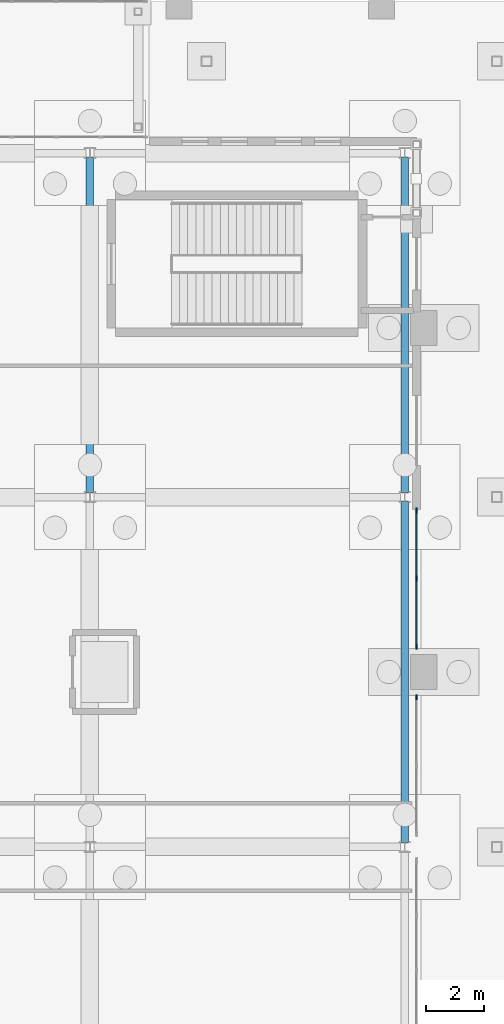
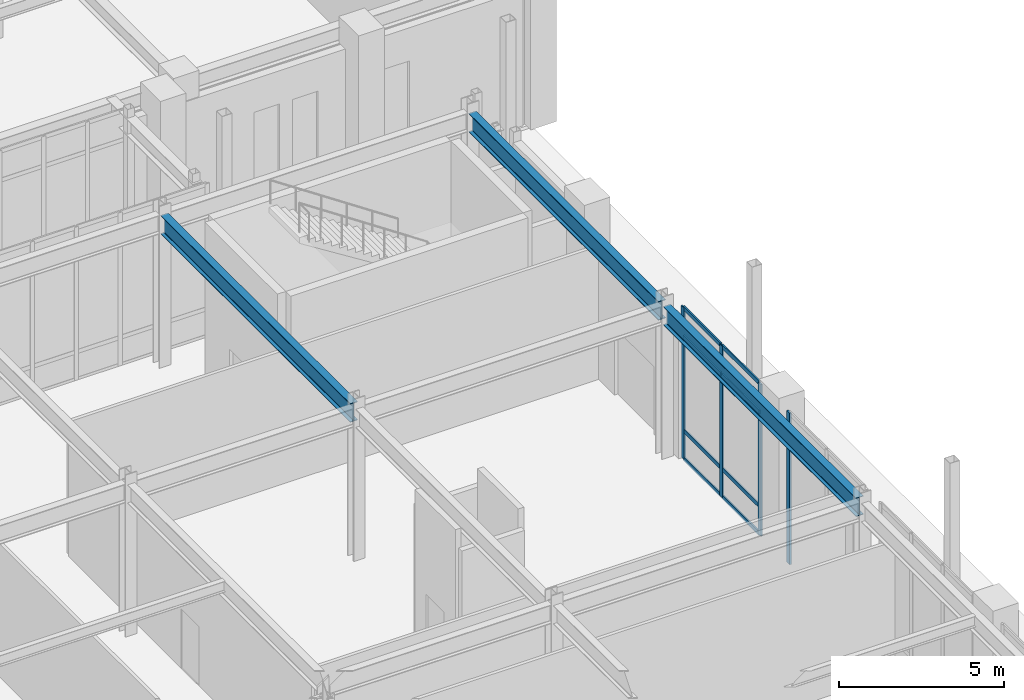
# One storey, part 70 of 143: 12 members, 3 beams, 2 elements without a shape of their own.
"""IFC4 building model written with IfcOpenShell, lengths in metres."""

import ifcopenshell
import ifcopenshell.guid

model = None  # the IFC model being written
_history = None  # IfcOwnerHistory: only IFC2X3 demands one
_inside = {}  # id of a spatial element -> (the spatial element, [elements in it])
_under = {}  # id of a project, library or spatial element -> (it, [spatial elements below it])
_declared = {}  # id of a project -> (the project, [libraries it declares])
_typed = {}  # id of a type object -> (the type object, [elements of that type])
_made_of = {}  # id of a material, layer set ... -> (it, [elements and type objects made of it])


def new_model(schema):
    """Start an empty IFC model of exactly this schema.

    Asked for "IFC4X3", IfcOpenShell would pick the latest addendum, in which some entities
    have other attributes; the version numbers below select the first issue.
    IFC2X3 requires an IfcOwnerHistory on every rooted entity: one is made here for all.
    """
    global model, _history
    if schema == "IFC4X3":
        model = ifcopenshell.file(schema_version=(4, 3, 0, 0))
    else:
        model = ifcopenshell.file(schema=schema)
    _inside.clear()
    _under.clear()
    _declared.clear()
    _typed.clear()
    _made_of.clear()
    _history = None
    if model.schema == "IFC2X3":
        org = make("IfcOrganization", Name="unknown")
        user = make(
            "IfcPersonAndOrganization",
            ThePerson=make("IfcPerson", FamilyName="unknown"),
            TheOrganization=org,
        )
        app = make(
            "IfcApplication",
            ApplicationDeveloper=org,
            Version="unknown",
            ApplicationFullName="unknown",
            ApplicationIdentifier="unknown",
        )
        _history = make(
            "IfcOwnerHistory",
            OwningUser=user,
            OwningApplication=app,
            ChangeAction="ADDED",
            CreationDate=0,
        )
    return model


def make(cls, **values):
    """One entity of the class cls with the attributes given. An attribute that is None is left unset."""
    return model.create_entity(
        cls, **{name: value for name, value in values.items() if value is not None}
    )


def rooted(cls, **values):
    """An entity with a GlobalId (a new one), such as an element, a storey or a relation."""
    return make(cls, GlobalId=ifcopenshell.guid.new(), OwnerHistory=_history, **values)


def si_unit(unit_type, name, prefix=None):
    """IfcSIUnit, for example si_unit("LENGTHUNIT", "METRE", prefix="MILLI")."""
    return make("IfcSIUnit", UnitType=unit_type, Prefix=prefix, Name=name)


def derived_unit(unit_type, elements):
    """IfcDerivedUnit: a product of units, each with its exponent."""
    return make(
        "IfcDerivedUnit",
        Elements=[
            make("IfcDerivedUnitElement", Unit=unit, Exponent=power)
            for unit, power in elements
        ],
        UnitType=unit_type,
    )


def assignment(units):
    """IfcUnitAssignment: the units of a project."""
    return None if units is None else make("IfcUnitAssignment", Units=units)


def point(xyz):
    """IfcCartesianPoint."""
    return None if xyz is None else make("IfcCartesianPoint", Coordinates=xyz)


def direction(xyz):
    """IfcDirection."""
    return None if xyz is None else make("IfcDirection", DirectionRatios=xyz)


def frame(location, z_axis=None, x_axis=None):
    """IfcAxis2Placement3D, a coordinate frame: its origin and axes. An axis left out is left unset."""
    return make(
        "IfcAxis2Placement3D",
        Location=point(location),
        Axis=direction(z_axis),
        RefDirection=direction(x_axis),
    )


def frame_2d(location, x_axis=None):
    """IfcAxis2Placement2D, a coordinate frame in the plane: its origin and x axis."""
    return make(
        "IfcAxis2Placement2D", Location=point(location), RefDirection=direction(x_axis)
    )


def origin():
    """The frame at (0, 0, 0) with its axes left unset."""
    return frame((0.0, 0.0, 0.0))


def origin_2d():
    """The frame at (0, 0) in the plane with its x axis left unset."""
    return frame_2d((0.0, 0.0))


def place(relative_to, where):
    """IfcLocalPlacement: puts the frame where relative to a parent placement (None: the world)."""
    return make(
        "IfcLocalPlacement", PlacementRelTo=relative_to, RelativePlacement=where
    )


def context(
    kind, dimensions, precision=None, world=None, true_north=None, identifier=None
):
    """IfcGeometricRepresentationContext, for example the 3D "Model" context."""
    return make(
        "IfcGeometricRepresentationContext",
        ContextIdentifier=identifier,
        ContextType=kind,
        CoordinateSpaceDimension=dimensions,
        Precision=precision,
        WorldCoordinateSystem=world,
        TrueNorth=true_north,
    )


def subcontext(parent, identifier, kind, view, scale=None):
    """IfcGeometricRepresentationSubContext, for example "Body" below "Model"."""
    return make(
        "IfcGeometricRepresentationSubContext",
        ContextIdentifier=identifier,
        ContextType=kind,
        ParentContext=parent,
        TargetScale=scale,
        TargetView=view,
    )


def project(units=None, contexts=None):
    """IfcProject with its units and contexts."""
    return rooted(
        "IfcProject",
        Name="project",
        RepresentationContexts=contexts,
        UnitsInContext=assignment(units),
    )


def spatial(cls, under=None, at=None, **own):
    """A site, building, storey or space (cls), placed at a placement, below another one or the project."""
    s = rooted(cls, ObjectPlacement=at, **own)
    if under is not None:
        _under.setdefault(under.id(), (under, []))[1].append(s)
    return s


def profile(cls, at=None, kind="AREA", **sizes):
    """A parametric profile (cls). Its sizes go by their IFC names, for example OverallWidth=200.0."""
    return make(cls, ProfileType=kind, Position=at, **sizes)


def rectangle(**sizes):
    """IfcRectangleProfileDef."""
    return profile("IfcRectangleProfileDef", **sizes)


def i_section(**sizes):
    """IfcIShapeProfileDef."""
    return profile("IfcIShapeProfileDef", **sizes)


def extrude(swept, where, along, depth):
    """IfcExtrudedAreaSolid: the profile swept, set in the frame where, extruded along a direction by depth."""
    return make(
        "IfcExtrudedAreaSolid",
        SweptArea=swept,
        Position=where,
        ExtrudedDirection=direction(along),
        Depth=depth,
    )


def shape(context_of_items, identifier, shape_type, items):
    """IfcShapeRepresentation: the items that make up one representation, for example the "Body"."""
    return make(
        "IfcShapeRepresentation",
        ContextOfItems=context_of_items,
        RepresentationIdentifier=identifier,
        RepresentationType=shape_type,
        Items=items,
    )


def material(Name=None, Category=None):
    """IfcMaterial."""
    return make("IfcMaterial", Name=Name, Category=Category)


def layer(
    of_material, thickness, ventilated=None, Name=None, Category=None, Priority=None
):
    """IfcMaterialLayer: one layer of a wall or slab, of a material (None: an air gap)."""
    return make(
        "IfcMaterialLayer",
        Material=of_material,
        LayerThickness=thickness,
        IsVentilated=ventilated,
        Name=Name,
        Category=Category,
        Priority=Priority,
    )


def layer_set(layers, Name=None):
    """IfcMaterialLayerSet."""
    return make("IfcMaterialLayerSet", MaterialLayers=layers, LayerSetName=Name)


def material_profile(
    of_material, cross_section, Name=None, Category=None, Priority=None
):
    """IfcMaterialProfile: a cross section and its material."""
    return make(
        "IfcMaterialProfile",
        Name=Name,
        Material=of_material,
        Profile=cross_section,
        Priority=Priority,
        Category=Category,
    )


def profile_set(profiles, Name=None, composite=None):
    """IfcMaterialProfileSet."""
    return make(
        "IfcMaterialProfileSet",
        Name=Name,
        MaterialProfiles=profiles,
        CompositeProfile=composite,
    )


def made_of(thing, what):
    """Note that an element or type object is made of a material, layer set ...; save() writes the relation."""
    if what is not None:
        _made_of.setdefault(what.id(), (what, []))[1].append(thing)
    return thing


def type_object(cls, material=None, **own):
    """A type object (cls), such as IfcWallType, which elements share."""
    return made_of(rooted(cls, **own), material)


def element(
    cls,
    number,
    at=None,
    inside=None,
    cuts=None,
    type_object=None,
    material=None,
    context=None,
    identifier="Body",
    shape_type=None,
    held_by="IfcProductDefinitionShape",
    body=None,
    shapes=None,
    **own,
):
    """One element of the class cls, such as IfcWall. Its Tag is "e" and its number.

    at: its placement. inside: the storey or other place that contains it. cuts: it is an
    opening in that element (IfcRelVoidsElement). A single representation is given by context,
    identifier, shape_type and body (its items); several are given by shapes. held_by: the class
    of the entity that holds the representations. save() writes the other relations.
    """
    e = rooted(cls, Tag="e%d" % number, ObjectPlacement=at, **own)
    if body is not None:
        shapes = [shape(context, identifier, shape_type, body)]
    if shapes is not None:
        e.Representation = make(held_by, Representations=shapes)
    if inside is not None:
        _inside.setdefault(inside.id(), (inside, []))[1].append(e)
    if cuts is not None:
        rooted(
            "IfcRelVoidsElement", RelatingBuildingElement=cuts, RelatedOpeningElement=e
        )
    if type_object is not None:
        _typed.setdefault(type_object.id(), (type_object, []))[1].append(e)
    return made_of(e, material)


def aggregate(whole, parts):
    """IfcRelAggregates: a whole, such as a stair, and the parts it consists of."""
    return rooted("IfcRelAggregates", RelatingObject=whole, RelatedObjects=parts)


def save(model, path):
    """Write the relations noted so far, then the file.

    IfcRelAggregates (storeys below a building ...), IfcRelContainedInSpatialStructure (elements
    in a storey), IfcRelDefinesByType, IfcRelAssociatesMaterial and IfcRelDeclares: one each for
    every whole, place, type object, material and project.
    """
    for whole, parts in _under.values():
        aggregate(whole, parts)
    for where, things in _inside.values():
        rooted(
            "IfcRelContainedInSpatialStructure",
            RelatedElements=things,
            RelatingStructure=where,
        )
    for kind, things in _typed.values():
        rooted("IfcRelDefinesByType", RelatedObjects=things, RelatingType=kind)
    for what, things in _made_of.values():
        rooted("IfcRelAssociatesMaterial", RelatedObjects=things, RelatingMaterial=what)
    for by, libraries in _declared.values():
        rooted("IfcRelDeclares", RelatingContext=by, RelatedDefinitions=libraries)
    model.write(path)


model = new_model("IFC4")

# Units and contexts
model_context = context("Model", 3, precision=1e-05, world=origin(), true_north=direction((0.0, 1.0)))
body_context = subcontext(model_context, "Body", "Model", "MODEL_VIEW")
ifc_project = project(units=[si_unit("LENGTHUNIT", "METRE"), si_unit("AREAUNIT", "SQUARE_METRE"), si_unit("VOLUMEUNIT", "CUBIC_METRE"), si_unit("PLANEANGLEUNIT", "RADIAN"), si_unit("MASSUNIT", "GRAM", prefix="KILO"), derived_unit("THERMALTRANSMITTANCEUNIT", [(si_unit("MASSUNIT", "GRAM", prefix="KILO"), 1), (si_unit("TIMEUNIT", "SECOND"), -3), (si_unit("THERMODYNAMICTEMPERATUREUNIT", "KELVIN"), -1)])], contexts=[model_context])

# Site, building, storey
site_placement = place(None, origin())
site = spatial("IfcSite", under=ifc_project, at=site_placement, CompositionType="ELEMENT")
building_placement = place(site_placement, origin())
building = spatial("IfcBuilding", under=site, at=building_placement, Name="Valcora Ridge Arena", CompositionType="ELEMENT")
storey_placement = place(building_placement, origin())
storey = spatial("IfcBuildingStorey", under=building, at=storey_placement, Name="L00", CompositionType="ELEMENT", Elevation=0.0)

# Beams
ifc_material_1 = material(Name="Steel ASTM A572 Grade 50", Category="steel")
ifc_material_profile_1 = material_profile(ifc_material_1, i_section(OverallWidth=0.256103515625, OverallDepth=0.693115234375, WebThickness=0.014404296875, FlangeThickness=0.023681640625, FilletRadius=0.02001953125, at=origin_2d()), Name="W27X114")
ifc_profile_set_1 = profile_set([ifc_material_profile_1], Name="Steel ASTM A572 Grade 50")
beam_type = type_object("IfcBeamType", Name="TY-BEAM-G-W27X114-Y", PredefinedType="BEAM", material=ifc_profile_set_1)
beam_1_placement = place(storey_placement, frame((176.0, 66.139892578125, 5.2734375), z_axis=(0.0, 1.0, 0.0), x_axis=(-1.0, 0.0, 0.0)))
element("IfcBeam", 1, at=beam_1_placement, inside=storey, type_object=beam_type, Name="G-W27X114-Y BEM-G-W27X114-Y-0027", PredefinedType="BEAM", context=body_context, shape_type="SweptSolid", body=[
    extrude(i_section(OverallWidth=0.256103515625, OverallDepth=0.693115234375, WebThickness=0.014404296875, FlangeThickness=0.023681640625, FilletRadius=0.02001953125, at=origin_2d()), origin(), (0.0, 0.0, 1.0), 11.52001953125),
])
beam_2_placement = place(storey_placement, frame((186.800048828125, 54.139892578125, 5.2734375), z_axis=(0.0, 1.0, 0.0), x_axis=(-1.0, 0.0, 0.0)))
element("IfcBeam", 2, at=beam_2_placement, inside=storey, type_object=beam_type, Name="G-W27X114-Y BEM-G-W27X114-Y-0032", PredefinedType="BEAM", context=body_context, shape_type="SweptSolid", body=[
    extrude(i_section(OverallWidth=0.256103515625, OverallDepth=0.693115234375, WebThickness=0.014404296875, FlangeThickness=0.023681640625, FilletRadius=0.02001953125, at=origin_2d()), origin(), (0.0, 0.0, 1.0), 11.72021484375),
])
beam_3_placement = place(storey_placement, frame((186.800048828125, 66.139892578125, 5.2734375), z_axis=(0.0, 1.0, 0.0), x_axis=(-1.0, 0.0, 0.0)))
element("IfcBeam", 3, at=beam_3_placement, inside=storey, type_object=beam_type, Name="G-W27X114-Y BEM-G-W27X114-Y-0033", PredefinedType="BEAM", context=body_context, shape_type="SweptSolid", body=[
    extrude(i_section(OverallWidth=0.256103515625, OverallDepth=0.693115234375, WebThickness=0.014404296875, FlangeThickness=0.023681640625, FilletRadius=0.02001953125, at=origin_2d()), origin(), (0.0, 0.0, 1.0), 11.52001953125),
])

# Curtain wall, member
ifc_material_2 = material(Name="Anodised dark bronze architectural aluminium 6063-T6", Category="aluminium")
ifc_layer = layer(ifc_material_2, 0.179931640625, Name="Anodised dark bronze architectural aluminium 6063-T6")
ifc_layer_set = layer_set([ifc_layer], Name="Anodised dark bronze architectural aluminium 6063-T6")
curtain_wall_type = type_object("IfcCurtainWallType", Name="TY-CURTAINWALL-CW-V2-GLAZ-047X56", PredefinedType="NOTDEFINED", material=ifc_layer_set)
curtain_wall_1_placement = place(storey_placement, origin())
curtain_wall_1 = element("IfcCurtainWall", 4, at=curtain_wall_1_placement, inside=storey, type_object=curtain_wall_type, Name="CW-V2-GLAZ-047X56 CW-0034", PredefinedType="NOTDEFINED")
ifc_material_profile_2 = material_profile(ifc_material_2, rectangle(XDim=0.06005859375, YDim=0.179931640625, at=origin_2d()), Name="ALU MULLION 60x180")
ifc_profile_set_2 = profile_set([ifc_material_profile_2], Name="Anodised dark bronze architectural aluminium 6063-T6")
member_type_1 = type_object("IfcMemberType", Name="TY-MEM-CWM-60x180", PredefinedType="MULLION", material=ifc_profile_set_2)
member_1_placement = place(storey_placement, frame((187.199951171875, 59.1298828125, 0.0), z_axis=(0.0, 0.0, 1.0), x_axis=(-1.0, 0.0, 0.0)))
member_1 = element("IfcMember", 5, at=member_1_placement, type_object=member_type_1, Name="CW-0034/CWM-60x180/M02", PredefinedType="MULLION", context=body_context, shape_type="SweptSolid", body=[
    extrude(rectangle(XDim=0.06005859375, YDim=0.179931640625, at=origin_2d()), origin(), (0.0, 0.0, 1.0), 5.6201171875),
])
aggregate(curtain_wall_1, [member_1])

# Curtain wall, members
curtain_wall_2_placement = place(storey_placement, origin())
curtain_wall_2 = element("IfcCurtainWall", 6, at=curtain_wall_2_placement, inside=storey, type_object=curtain_wall_type, Name="CW-V2-GLAZ-047X56 CW-0035", PredefinedType="NOTDEFINED")
member_2_placement = place(storey_placement, frame((187.199951171875, 60.8701171875, 0.0), z_axis=(0.0, 0.0, 1.0), x_axis=(-1.0, 0.0, 0.0)))
member_2 = element("IfcMember", 7, at=member_2_placement, type_object=member_type_1, Name="CW-0035/CWM-60x180/M00", PredefinedType="MULLION", context=body_context, shape_type="SweptSolid", body=[
    extrude(rectangle(XDim=0.06005859375, YDim=0.179931640625, at=origin_2d()), origin(), (0.0, 0.0, 1.0), 5.6201171875),
])
member_3_placement = place(storey_placement, frame((187.199951171875, 63.20361328125, 0.0), z_axis=(0.0, 0.0, 1.0), x_axis=(-1.0, 0.0, 0.0)))
member_3 = element("IfcMember", 8, at=member_3_placement, type_object=member_type_1, Name="CW-0035/CWM-60x180/M01", PredefinedType="MULLION", context=body_context, shape_type="SweptSolid", body=[
    extrude(rectangle(XDim=0.06005859375, YDim=0.179931640625, at=origin_2d()), origin(), (0.0, 0.0, 1.0), 5.6201171875),
])
member_4_placement = place(storey_placement, frame((187.199951171875, 65.537109375, 0.0), z_axis=(0.0, 0.0, 1.0), x_axis=(-1.0, 0.0, 0.0)))
member_4 = element("IfcMember", 9, at=member_4_placement, type_object=member_type_1, Name="CW-0035/CWM-60x180/M02", PredefinedType="MULLION", context=body_context, shape_type="SweptSolid", body=[
    extrude(rectangle(XDim=0.06005859375, YDim=0.179931640625, at=origin_2d()), origin(), (0.0, 0.0, 1.0), 5.6201171875),
])
ifc_material_profile_3 = material_profile(ifc_material_2, rectangle(XDim=0.050048828125, YDim=0.14990234375, at=origin_2d()), Name="ALU TRANSOM 50x150")
ifc_profile_set_3 = profile_set([ifc_material_profile_3], Name="Anodised dark bronze architectural aluminium 6063-T6")
member_type_2 = type_object("IfcMemberType", Name="TY-MEM-CWT-50x150", PredefinedType="USERDEFINED", material=ifc_profile_set_3)
member_5_placement = place(storey_placement, frame((187.199951171875, 60.89990234375, 0.02490234375), z_axis=(0.0, 1.0, 0.0), x_axis=(-1.0, 0.0, 0.0)))
member_5 = element("IfcMember", 10, at=member_5_placement, type_object=member_type_2, Name="CW-0035/CWT-50x150/T00-00", ObjectType="TRANSOM", PredefinedType="USERDEFINED", context=body_context, shape_type="SweptSolid", body=[
    extrude(rectangle(XDim=0.050048828125, YDim=0.14990234375, at=origin_2d()), origin(), (0.0, 0.0, 1.0), 2.274169921875),
])
member_6_placement = place(storey_placement, frame((187.199951171875, 60.89990234375, 1.050048828125), z_axis=(0.0, 1.0, 0.0), x_axis=(-1.0, 0.0, 0.0)))
member_6 = element("IfcMember", 11, at=member_6_placement, type_object=member_type_2, Name="CW-0035/CWT-50x150/T00-01", ObjectType="TRANSOM", PredefinedType="USERDEFINED", context=body_context, shape_type="SweptSolid", body=[
    extrude(rectangle(XDim=0.050048828125, YDim=0.14990234375, at=origin_2d()), origin(), (0.0, 0.0, 1.0), 2.274169921875),
])
member_7_placement = place(storey_placement, frame((187.199951171875, 60.89990234375, 4.52001953125), z_axis=(0.0, 1.0, 0.0), x_axis=(-1.0, 0.0, 0.0)))
member_7 = element("IfcMember", 12, at=member_7_placement, type_object=member_type_2, Name="CW-0035/CWT-50x150/T00-02", ObjectType="TRANSOM", PredefinedType="USERDEFINED", context=body_context, shape_type="SweptSolid", body=[
    extrude(rectangle(XDim=0.050048828125, YDim=0.14990234375, at=origin_2d()), origin(), (0.0, 0.0, 1.0), 2.274169921875),
])
member_8_placement = place(storey_placement, frame((187.199951171875, 60.89990234375, 5.594970703125), z_axis=(0.0, 1.0, 0.0), x_axis=(-1.0, 0.0, 0.0)))
member_8 = element("IfcMember", 13, at=member_8_placement, type_object=member_type_2, Name="CW-0035/CWT-50x150/T00-03", ObjectType="TRANSOM", PredefinedType="USERDEFINED", context=body_context, shape_type="SweptSolid", body=[
    extrude(rectangle(XDim=0.050048828125, YDim=0.14990234375, at=origin_2d()), origin(), (0.0, 0.0, 1.0), 2.274169921875),
])
member_9_placement = place(storey_placement, frame((187.199951171875, 63.23291015625, 0.02490234375), z_axis=(0.0, 1.0, 0.0), x_axis=(-1.0, 0.0, 0.0)))
member_9 = element("IfcMember", 14, at=member_9_placement, type_object=member_type_2, Name="CW-0035/CWT-50x150/T01-00", ObjectType="TRANSOM", PredefinedType="USERDEFINED", context=body_context, shape_type="SweptSolid", body=[
    extrude(rectangle(XDim=0.050048828125, YDim=0.14990234375, at=origin_2d()), origin(), (0.0, 0.0, 1.0), 2.274169921875),
])
member_10_placement = place(storey_placement, frame((187.199951171875, 63.23291015625, 1.050048828125), z_axis=(0.0, 1.0, 0.0), x_axis=(-1.0, 0.0, 0.0)))
member_10 = element("IfcMember", 15, at=member_10_placement, type_object=member_type_2, Name="CW-0035/CWT-50x150/T01-01", ObjectType="TRANSOM", PredefinedType="USERDEFINED", context=body_context, shape_type="SweptSolid", body=[
    extrude(rectangle(XDim=0.050048828125, YDim=0.14990234375, at=origin_2d()), origin(), (0.0, 0.0, 1.0), 2.274169921875),
])
member_11_placement = place(storey_placement, frame((187.199951171875, 63.23291015625, 4.52001953125), z_axis=(0.0, 1.0, 0.0), x_axis=(-1.0, 0.0, 0.0)))
member_11 = element("IfcMember", 16, at=member_11_placement, type_object=member_type_2, Name="CW-0035/CWT-50x150/T01-02", ObjectType="TRANSOM", PredefinedType="USERDEFINED", context=body_context, shape_type="SweptSolid", body=[
    extrude(rectangle(XDim=0.050048828125, YDim=0.14990234375, at=origin_2d()), origin(), (0.0, 0.0, 1.0), 2.274169921875),
])
member_12_placement = place(storey_placement, frame((187.199951171875, 63.23291015625, 5.594970703125), z_axis=(0.0, 1.0, 0.0), x_axis=(-1.0, 0.0, 0.0)))
member_12 = element("IfcMember", 17, at=member_12_placement, type_object=member_type_2, Name="CW-0035/CWT-50x150/T01-03", ObjectType="TRANSOM", PredefinedType="USERDEFINED", context=body_context, shape_type="SweptSolid", body=[
    extrude(rectangle(XDim=0.050048828125, YDim=0.14990234375, at=origin_2d()), origin(), (0.0, 0.0, 1.0), 2.274169921875),
])
aggregate(curtain_wall_2, [member_2, member_3, member_4, member_5, member_6, member_7, member_8, member_9, member_10, member_11, member_12])

save(model, "model.ifc")
